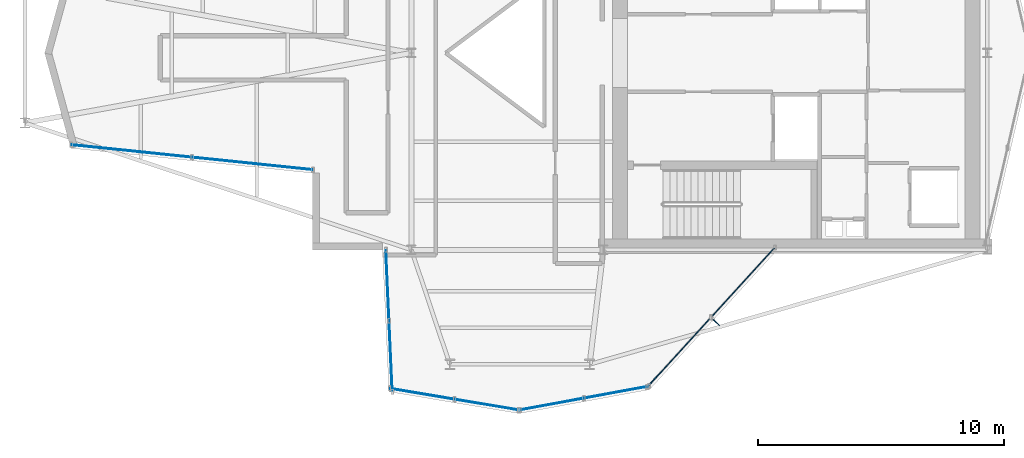
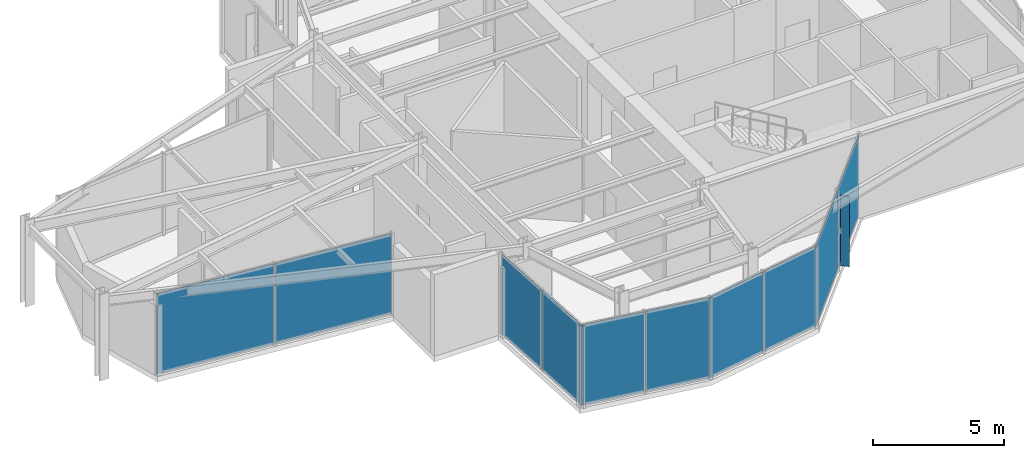
# One storey, part 8 of 13: 11 plates, 5 elements without a shape of their own.
"""IFC4 building model written with IfcOpenShell, lengths in metres."""

from ifc_helpers import new_model, si_unit, direction, frame, origin, origin_2d, place, context, subcontext, project, spatial, rectangle, extrude, material, layer, layer_set, type_object, element, aggregate, save


model = new_model("IFC4")

# Units and contexts
model_context = context("Model", 3, precision=1e-05, world=origin(), true_north=direction((0.0, 1.0)))
body_context = subcontext(model_context, "Body", "Model", "MODEL_VIEW")
ifc_project = project(units=[si_unit("LENGTHUNIT", "METRE"), si_unit("AREAUNIT", "SQUARE_METRE"), si_unit("VOLUMEUNIT", "CUBIC_METRE"), si_unit("PLANEANGLEUNIT", "RADIAN"), si_unit("MASSUNIT", "GRAM", prefix="KILO")], contexts=[model_context])

# Site, building, storey
site_placement = place(None, origin())
site = spatial("IfcSite", under=ifc_project, at=site_placement, CompositionType="ELEMENT")
building_placement = place(site_placement, origin())
building = spatial("IfcBuilding", under=site, at=building_placement, Name="Veymaron Broadcast Tower", CompositionType="ELEMENT")
storey_placement = place(building_placement, frame((0.0, 0.0, 279.0)))
storey = spatial("IfcBuildingStorey", under=building, at=storey_placement, Name="L65", CompositionType="ELEMENT", Elevation=279.0)

# Curtain wall, plates
ifc_material_1 = material(Name="Anodised aluminium AA 6063-T6 and laminated low-E dark glass", Category="aluminium")
ifc_layer_1 = layer(ifc_material_1, 0.179931640625)
ifc_layer_set_1 = layer_set([ifc_layer_1], Name="Anodised aluminium AA 6063-T6 and laminated low-E dark glass")
curtain_wall_type = type_object("IfcCurtainWallType", Name="CW-SYS-06", PredefinedType="NOTDEFINED", material=ifc_layer_set_1)
curtain_wall_1_placement = place(storey_placement, origin())
curtain_wall_1 = element("IfcCurtainWall", 1, at=curtain_wall_1_placement, inside=storey, type_object=curtain_wall_type, Name="L65 dark-glass curtain wall CW-L65-E14-1", PredefinedType="NOTDEFINED")
ifc_material_2 = material(Name="Insulated dark-anodised aluminium spandrel panel 40 mm", Category="aluminium")
ifc_layer_2 = layer(ifc_material_2, 0.0400390625)
ifc_layer_set_2 = layer_set([ifc_layer_2], Name="Insulated dark-anodised aluminium spandrel panel 40 mm")
plate_type_1 = type_object("IfcPlateType", Name="CW-PNL-03", PredefinedType="CURTAIN_PANEL", material=ifc_layer_set_2)
plate_1_placement = place(storey_placement, frame((19.830810546875, 20.014892578125, 0.0400390625), z_axis=(0.0, 0.0, 1.0), x_axis=(0.994701022897, -0.102809897611, 0.0)))
plate_1 = element("IfcPlate", 2, at=plate_1_placement, type_object=plate_type_1, Name="CW-L65-E14-1 unitised curtain panel 0", PredefinedType="CURTAIN_PANEL", context=body_context, shape_type="SweptSolid", body=[
    extrude(rectangle(XDim=4.87890625, YDim=0.0400390625, at=origin_2d()), origin(), (0.0, 0.0, 1.0), 3.72998046875),
])
plate_2_placement = place(storey_placement, frame((24.74365234375, 19.507080078125, 0.0400390625), z_axis=(0.0, 0.0, 1.0), x_axis=(0.994701022897, -0.102809897611, 0.0)))
plate_2 = element("IfcPlate", 3, at=plate_2_placement, type_object=plate_type_1, Name="CW-L65-E14-1 unitised curtain panel 1", PredefinedType="CURTAIN_PANEL", context=body_context, shape_type="SweptSolid", body=[
    extrude(rectangle(XDim=4.87890625, YDim=0.0400390625, at=origin_2d()), origin(), (0.0, 0.0, 1.0), 3.72998046875),
])
aggregate(curtain_wall_1, [plate_1, plate_2])

curtain_wall_2_placement = place(storey_placement, origin())
curtain_wall_2 = element("IfcCurtainWall", 4, at=curtain_wall_2_placement, inside=storey, type_object=curtain_wall_type, Name="L65 dark-glass curtain wall CW-L65-E17-1", PredefinedType="NOTDEFINED")
plate_3_placement = place(storey_placement, frame((30.2275390625, 14.564208984375, 0.0400390625), z_axis=(0.0, 0.0, 1.0), x_axis=(0.045502470291, -0.998964226185, 0.0)))
plate_3 = element("IfcPlate", 5, at=plate_3_placement, type_object=plate_type_1, Name="CW-L65-E17-1 unitised curtain panel 0", PredefinedType="CURTAIN_PANEL", context=body_context, shape_type="SweptSolid", body=[
    extrude(rectangle(XDim=2.82763671875, YDim=0.0400390625, at=origin_2d()), origin(), (0.0, 0.0, 1.0), 3.72998046875),
])
plate_4_placement = place(storey_placement, frame((30.35888671875, 11.679443359375, 0.0400390625), z_axis=(0.0, 0.0, 1.0), x_axis=(0.045502470291, -0.998964226185, 0.0)))
plate_4 = element("IfcPlate", 6, at=plate_4_placement, type_object=plate_type_1, Name="CW-L65-E17-1 unitised curtain panel 1", PredefinedType="CURTAIN_PANEL", context=body_context, shape_type="SweptSolid", body=[
    extrude(rectangle(XDim=2.82763671875, YDim=0.0400390625, at=origin_2d()), origin(), (0.0, 0.0, 1.0), 3.72998046875),
])
aggregate(curtain_wall_2, [plate_3, plate_4])

curtain_wall_3_placement = place(storey_placement, origin())
curtain_wall_3 = element("IfcCurtainWall", 7, at=curtain_wall_3_placement, inside=storey, type_object=curtain_wall_type, Name="L65 dark-glass curtain wall CW-L65-E18-1", PredefinedType="NOTDEFINED")
plate_5_placement = place(storey_placement, frame((31.6318359375, 10.14794921875, 0.0400390625), z_axis=(0.0, 0.0, 1.0), x_axis=(0.986354649988, -0.164634457046, 0.0)))
plate_5 = element("IfcPlate", 8, at=plate_5_placement, type_object=plate_type_1, Name="CW-L65-E18-1 unitised curtain panel 0", PredefinedType="CURTAIN_PANEL", context=body_context, shape_type="SweptSolid", body=[
    extrude(rectangle(XDim=2.624755859375, YDim=0.0400390625, at=origin_2d()), origin(), (0.0, 0.0, 1.0), 3.72998046875),
])
plate_6_placement = place(storey_placement, frame((34.280029296875, 9.705810546875, 0.0400390625), z_axis=(0.0, 0.0, 1.0), x_axis=(0.986354649988, -0.164634457046, 0.0)))
plate_6 = element("IfcPlate", 9, at=plate_6_placement, type_object=plate_type_1, Name="CW-L65-E18-1 unitised curtain panel 1", PredefinedType="CURTAIN_PANEL", context=body_context, shape_type="SweptSolid", body=[
    extrude(rectangle(XDim=2.624755859375, YDim=0.0400390625, at=origin_2d()), origin(), (0.0, 0.0, 1.0), 3.72998046875),
])
aggregate(curtain_wall_3, [plate_5, plate_6])

curtain_wall_4_placement = place(storey_placement, origin())
curtain_wall_4 = element("IfcCurtainWall", 10, at=curtain_wall_4_placement, inside=storey, type_object=curtain_wall_type, Name="L65 dark-glass curtain wall CW-L65-E19-1", PredefinedType="NOTDEFINED")
plate_7_placement = place(storey_placement, frame((36.8798828125, 9.7275390625, 0.0400390625), z_axis=(0.0, 0.0, 1.0), x_axis=(0.983562017505, 0.180570644685, 0.0)))
plate_7 = element("IfcPlate", 11, at=plate_7_placement, type_object=plate_type_1, Name="CW-L65-E19-1 unitised curtain panel 0", PredefinedType="CURTAIN_PANEL", context=body_context, shape_type="SweptSolid", body=[
    extrude(rectangle(XDim=2.632568359375, YDim=0.0400390625, at=origin_2d()), origin(), (0.0, 0.0, 1.0), 3.72998046875),
])
plate_8_placement = place(storey_placement, frame((39.5283203125, 10.2138671875, 0.0400390625), z_axis=(0.0, 0.0, 1.0), x_axis=(0.983562017505, 0.180570644685, 0.0)))
plate_8 = element("IfcPlate", 12, at=plate_8_placement, type_object=plate_type_1, Name="CW-L65-E19-1 unitised curtain panel 1", PredefinedType="CURTAIN_PANEL", context=body_context, shape_type="SweptSolid", body=[
    extrude(rectangle(XDim=2.632568359375, YDim=0.0400390625, at=origin_2d()), origin(), (0.0, 0.0, 1.0), 3.72998046875),
])
aggregate(curtain_wall_4, [plate_7, plate_8])

curtain_wall_5_placement = place(storey_placement, origin())
curtain_wall_5 = element("IfcCurtainWall", 13, at=curtain_wall_5_placement, inside=storey, type_object=curtain_wall_type, Name="L65 dark-glass curtain wall CW-L65-E20-1", PredefinedType="NOTDEFINED")
plate_9_placement = place(storey_placement, frame((42.072021484375, 11.833740234375, 0.0400390625), z_axis=(0.0, 0.0, 1.0), x_axis=(0.674585884365, 0.738196372665, 0.0)))
plate_9 = element("IfcPlate", 14, at=plate_9_placement, type_object=plate_type_1, Name="CW-L65-E20-1 unitised curtain panel 0", PredefinedType="CURTAIN_PANEL", context=body_context, shape_type="SweptSolid", body=[
    extrude(rectangle(XDim=3.787841796875, YDim=0.0400390625, at=origin_2d()), origin(), (0.0, 0.0, 1.0), 3.72998046875),
])
plate_10_placement = place(storey_placement, frame((44.667724609375, 14.67431640625, 0.0400390625), z_axis=(0.0, 0.0, 1.0), x_axis=(0.674585884365, 0.738196372665, 0.0)))
plate_10 = element("IfcPlate", 15, at=plate_10_placement, type_object=plate_type_1, Name="CW-L65-E20-1 unitised curtain panel 1", PredefinedType="CURTAIN_PANEL", context=body_context, shape_type="SweptSolid", body=[
    extrude(rectangle(XDim=3.787841796875, YDim=0.0400390625, at=origin_2d()), origin(), (0.0, 0.0, 1.0), 3.72998046875),
])
aggregate(curtain_wall_5, [plate_9, plate_10])

# Plate
ifc_material_3 = material(Name="Dark-anodised aluminium AA 6061-T6", Category="aluminium")
ifc_layer_3 = layer(ifc_material_3, 0.030029296875)
ifc_layer_set_3 = layer_set([ifc_layer_3], Name="Dark-anodised aluminium AA 6061-T6")
plate_type_2 = type_object("IfcPlateType", Name="FIN-CHEV-02", PredefinedType="USERDEFINED", material=ifc_layer_set_3)
plate_11_placement = place(storey_placement, frame((43.59521484375, 13.04833984375, 0.2666015625), z_axis=(0.0, 0.0, 1.0), x_axis=(0.738196372665, -0.674585884365, 0.0)))
element("IfcPlate", 16, at=plate_11_placement, inside=storey, type_object=plate_type_2, Name="CW-L65-E20-1 chevron fin 1", ObjectType="FIN", PredefinedType="USERDEFINED", context=body_context, shape_type="SweptSolid", body=[
    extrude(rectangle(XDim=0.35009765625, YDim=0.034912109375, at=origin_2d()), origin(), (0.0, 0.0, 1.0), 3.276611328125),
])

save(model, "model.ifc")
